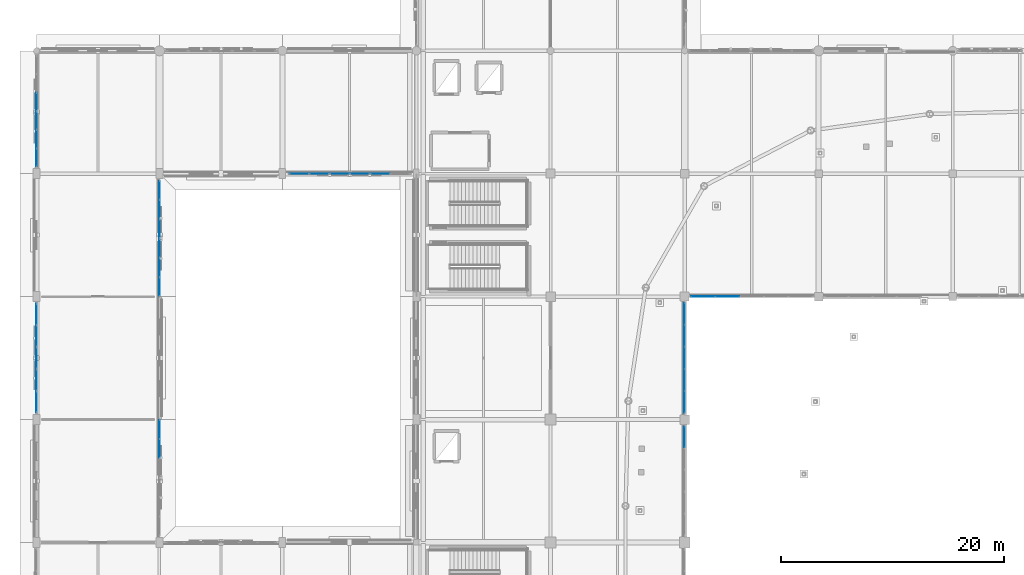
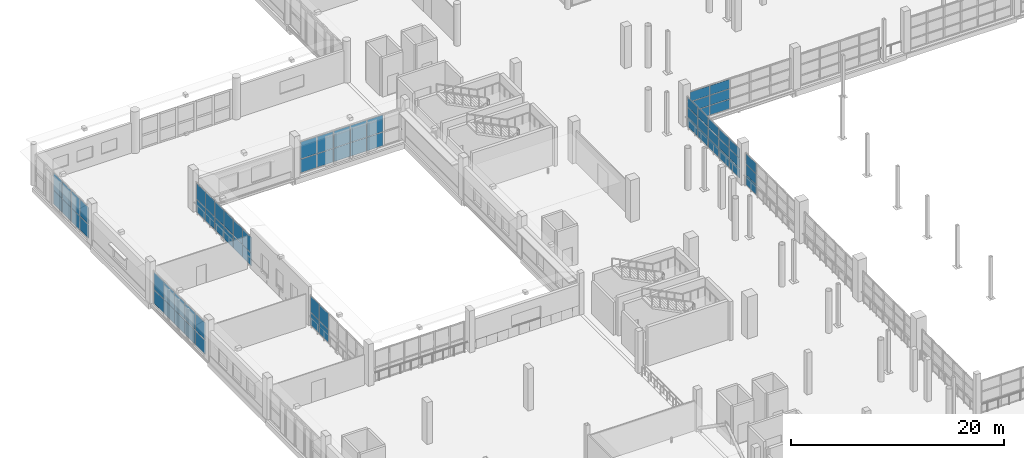
# One storey, part 77 of 143: 68 plates, 8 elements without a shape of their own.
"""IFC4 building model written with IfcOpenShell, lengths in metres."""

from ifc_helpers import new_model, si_unit, direction, frame, origin, origin_2d, place, context, subcontext, project, spatial, rectangle, extrude, material, layer, layer_set, type_object, element, aggregate, save


model = new_model("IFC4")

# Units and contexts
model_context = context("Model", 3, precision=1e-05, world=origin(), true_north=direction((0.0, 1.0)))
body_context = subcontext(model_context, "Body", "Model", "MODEL_VIEW")
ifc_project = project(units=[si_unit("LENGTHUNIT", "METRE"), si_unit("AREAUNIT", "SQUARE_METRE"), si_unit("VOLUMEUNIT", "CUBIC_METRE"), si_unit("PLANEANGLEUNIT", "RADIAN"), si_unit("MASSUNIT", "GRAM", prefix="KILO")], contexts=[model_context])

# Site, building, storey
site_placement = place(None, origin())
site = spatial("IfcSite", under=ifc_project, at=site_placement, CompositionType="ELEMENT")
building_placement = place(site_placement, origin())
building = spatial("IfcBuilding", under=site, at=building_placement, Name="Luwafu Chhajja Arena", CompositionType="ELEMENT")
storey_placement = place(building_placement, frame((0.0, 0.0, 5.39990234375)))
storey = spatial("IfcBuildingStorey", under=building, at=storey_placement, Name="L01", CompositionType="ELEMENT", Elevation=5.39990234375)

# Curtain wall, plates
ifc_material_1 = material(Name="Anodised bronze aluminium", Category="aluminium")
curtain_wall_type_1 = type_object("IfcCurtainWallType", Name="VIP Club Terrace Curtain Wall", PredefinedType="USERDEFINED", material=ifc_material_1)
curtain_wall_1_placement = place(storey_placement, origin())
curtain_wall_1 = element("IfcCurtainWall", 1, at=curtain_wall_1_placement, inside=storey, type_object=curtain_wall_type_1, Name="L01 Curtain Wall CWG-L01-V01_07", ObjectType="CURTAIN WALL", PredefinedType="USERDEFINED")
ifc_material_2 = material(Name="Solar-control laminated glass", Category="glass")
ifc_layer_1 = layer(ifc_material_2, 0.035888671875, Name="Solar-control laminated glass")
ifc_layer_set_1 = layer_set([ifc_layer_1], Name="Solar-control laminated glass")
plate_type_1 = type_object("IfcPlateType", Name="Acoustic Broadcast Double Glazed CW Panel 36", PredefinedType="CURTAIN_PANEL", material=ifc_layer_set_1)
plate_1_placement = place(storey_placement, frame((11.0, 77.8837890625, 0.09521484375), z_axis=(0.0, 0.0, 1.0), x_axis=(0.0, 1.0, 0.0)))
plate_1 = element("IfcPlate", 2, at=plate_1_placement, type_object=plate_type_1, Name="CW-10 panel 1.1", PredefinedType="CURTAIN_PANEL", context=body_context, shape_type="SweptSolid", body=[
    extrude(rectangle(XDim=1.637451171875, YDim=0.035888671875, at=origin_2d()), origin(), (0.0, 0.0, 1.0), 1.42041015625),
])
plate_2_placement = place(storey_placement, frame((11.0, 77.8837890625, 1.58056640625), z_axis=(0.0, 0.0, 1.0), x_axis=(0.0, 1.0, 0.0)))
plate_2 = element("IfcPlate", 3, at=plate_2_placement, type_object=plate_type_1, Name="CW-10 panel 1.2", PredefinedType="CURTAIN_PANEL", context=body_context, shape_type="SweptSolid", body=[
    extrude(rectangle(XDim=1.637451171875, YDim=0.035888671875, at=origin_2d()), origin(), (0.0, 0.0, 1.0), 1.79443359375),
])
plate_3_placement = place(storey_placement, frame((11.0, 79.6025390625, 0.09521484375), z_axis=(0.0, 0.0, 1.0), x_axis=(0.0, 1.0, 0.0)))
plate_3 = element("IfcPlate", 4, at=plate_3_placement, type_object=plate_type_1, Name="CW-10 panel 2.1", PredefinedType="CURTAIN_PANEL", context=body_context, shape_type="SweptSolid", body=[
    extrude(rectangle(XDim=1.669921875, YDim=0.035888671875, at=origin_2d()), origin(), (0.0, 0.0, 1.0), 1.42041015625),
])
plate_4_placement = place(storey_placement, frame((11.0, 79.6025390625, 1.58056640625), z_axis=(0.0, 0.0, 1.0), x_axis=(0.0, 1.0, 0.0)))
plate_4 = element("IfcPlate", 5, at=plate_4_placement, type_object=plate_type_1, Name="CW-10 panel 2.2", PredefinedType="CURTAIN_PANEL", context=body_context, shape_type="SweptSolid", body=[
    extrude(rectangle(XDim=1.669921875, YDim=0.035888671875, at=origin_2d()), origin(), (0.0, 0.0, 1.0), 1.79443359375),
])
plate_5_placement = place(storey_placement, frame((11.0, 81.33740234375, 0.09521484375), z_axis=(0.0, 0.0, 1.0), x_axis=(0.0, 1.0, 0.0)))
plate_5 = element("IfcPlate", 6, at=plate_5_placement, type_object=plate_type_1, Name="CW-10 panel 3.1", PredefinedType="CURTAIN_PANEL", context=body_context, shape_type="SweptSolid", body=[
    extrude(rectangle(XDim=1.669921875, YDim=0.035888671875, at=origin_2d()), origin(), (0.0, 0.0, 1.0), 1.42041015625),
])
plate_6_placement = place(storey_placement, frame((11.0, 81.33740234375, 1.58056640625), z_axis=(0.0, 0.0, 1.0), x_axis=(0.0, 1.0, 0.0)))
plate_6 = element("IfcPlate", 7, at=plate_6_placement, type_object=plate_type_1, Name="CW-10 panel 3.2", PredefinedType="CURTAIN_PANEL", context=body_context, shape_type="SweptSolid", body=[
    extrude(rectangle(XDim=1.669921875, YDim=0.035888671875, at=origin_2d()), origin(), (0.0, 0.0, 1.0), 1.79443359375),
])
plate_7_placement = place(storey_placement, frame((11.0, 83.072509765625, 0.09521484375), z_axis=(0.0, 0.0, 1.0), x_axis=(0.0, 1.0, 0.0)))
plate_7 = element("IfcPlate", 8, at=plate_7_placement, type_object=plate_type_1, Name="CW-10 panel 4.1", PredefinedType="CURTAIN_PANEL", context=body_context, shape_type="SweptSolid", body=[
    extrude(rectangle(XDim=1.669921875, YDim=0.035888671875, at=origin_2d()), origin(), (0.0, 0.0, 1.0), 1.42041015625),
])
plate_8_placement = place(storey_placement, frame((11.0, 83.072509765625, 1.58056640625), z_axis=(0.0, 0.0, 1.0), x_axis=(0.0, 1.0, 0.0)))
plate_8 = element("IfcPlate", 9, at=plate_8_placement, type_object=plate_type_1, Name="CW-10 panel 4.2", PredefinedType="CURTAIN_PANEL", context=body_context, shape_type="SweptSolid", body=[
    extrude(rectangle(XDim=1.669921875, YDim=0.035888671875, at=origin_2d()), origin(), (0.0, 0.0, 1.0), 1.79443359375),
])
plate_9_placement = place(storey_placement, frame((11.0, 84.8076171875, 0.09521484375), z_axis=(0.0, 0.0, 1.0), x_axis=(0.0, 1.0, 0.0)))
plate_9 = element("IfcPlate", 10, at=plate_9_placement, type_object=plate_type_1, Name="CW-10 panel 5.1", PredefinedType="CURTAIN_PANEL", context=body_context, shape_type="SweptSolid", body=[
    extrude(rectangle(XDim=1.669921875, YDim=0.035888671875, at=origin_2d()), origin(), (0.0, 0.0, 1.0), 1.42041015625),
])
plate_10_placement = place(storey_placement, frame((11.0, 84.8076171875, 1.58056640625), z_axis=(0.0, 0.0, 1.0), x_axis=(0.0, 1.0, 0.0)))
plate_10 = element("IfcPlate", 11, at=plate_10_placement, type_object=plate_type_1, Name="CW-10 panel 5.2", PredefinedType="CURTAIN_PANEL", context=body_context, shape_type="SweptSolid", body=[
    extrude(rectangle(XDim=1.669921875, YDim=0.035888671875, at=origin_2d()), origin(), (0.0, 0.0, 1.0), 1.79443359375),
])
plate_11_placement = place(storey_placement, frame((11.0, 86.5263671875, 0.09521484375), z_axis=(0.0, 0.0, 1.0), x_axis=(0.0, 1.0, 0.0)))
plate_11 = element("IfcPlate", 12, at=plate_11_placement, type_object=plate_type_1, Name="CW-10 panel 6.1", PredefinedType="CURTAIN_PANEL", context=body_context, shape_type="SweptSolid", body=[
    extrude(rectangle(XDim=1.637451171875, YDim=0.035888671875, at=origin_2d()), origin(), (0.0, 0.0, 1.0), 1.42041015625),
])
plate_12_placement = place(storey_placement, frame((11.0, 86.5263671875, 1.58056640625), z_axis=(0.0, 0.0, 1.0), x_axis=(0.0, 1.0, 0.0)))
plate_12 = element("IfcPlate", 13, at=plate_12_placement, type_object=plate_type_1, Name="CW-10 panel 6.2", PredefinedType="CURTAIN_PANEL", context=body_context, shape_type="SweptSolid", body=[
    extrude(rectangle(XDim=1.637451171875, YDim=0.035888671875, at=origin_2d()), origin(), (0.0, 0.0, 1.0), 1.79443359375),
])
aggregate(curtain_wall_1, [plate_1, plate_2, plate_3, plate_4, plate_5, plate_6, plate_7, plate_8, plate_9, plate_10, plate_11, plate_12])

curtain_wall_type_2 = type_object("IfcCurtainWallType", Name="Charbagh Cloister Curtain Wall", PredefinedType="USERDEFINED", material=ifc_material_1)
curtain_wall_2_placement = place(storey_placement, origin())
curtain_wall_2 = element("IfcCurtainWall", 14, at=curtain_wall_2_placement, inside=storey, type_object=curtain_wall_type_2, Name="L01 Curtain Wall CWG-L01-V01_05", ObjectType="CURTAIN WALL", PredefinedType="USERDEFINED")
ifc_layer_2 = layer(ifc_material_2, 0.028076171875, Name="Solar-control laminated glass")
ifc_layer_set_2 = layer_set([ifc_layer_2], Name="Solar-control laminated glass")
plate_type_2 = type_object("IfcPlateType", Name="Solar Control Double Glazed CW Panel 28", PredefinedType="CURTAIN_PANEL", material=ifc_layer_set_2)
plate_13_placement = place(storey_placement, frame((11.0, 63.3974609375, 0.09033203125), z_axis=(0.0, 0.0, 1.0), x_axis=(0.0, 1.0, 0.0)))
plate_13 = element("IfcPlate", 15, at=plate_13_placement, type_object=plate_type_2, Name="CW-06 panel 5.1", PredefinedType="CURTAIN_PANEL", context=body_context, shape_type="SweptSolid", body=[
    extrude(rectangle(XDim=1.675048828125, YDim=0.028076171875, at=origin_2d()), origin(), (0.0, 0.0, 1.0), 1.450439453125),
])
plate_14_placement = place(storey_placement, frame((11.0, 63.3974609375, 1.6005859375), z_axis=(0.0, 0.0, 1.0), x_axis=(0.0, 1.0, 0.0)))
plate_14 = element("IfcPlate", 16, at=plate_14_placement, type_object=plate_type_2, Name="CW-06 panel 5.2", PredefinedType="CURTAIN_PANEL", context=body_context, shape_type="SweptSolid", body=[
    extrude(rectangle(XDim=1.675048828125, YDim=0.028076171875, at=origin_2d()), origin(), (0.0, 0.0, 1.0), 1.82958984375),
])
plate_15_placement = place(storey_placement, frame((11.0, 65.117431640625, 0.09033203125), z_axis=(0.0, 0.0, 1.0), x_axis=(0.0, 1.0, 0.0)))
plate_15 = element("IfcPlate", 17, at=plate_15_placement, type_object=plate_type_2, Name="CW-06 panel 6.1", PredefinedType="CURTAIN_PANEL", context=body_context, shape_type="SweptSolid", body=[
    extrude(rectangle(XDim=1.64501953125, YDim=0.028076171875, at=origin_2d()), origin(), (0.0, 0.0, 1.0), 1.450439453125),
])
plate_16_placement = place(storey_placement, frame((11.0, 65.117431640625, 1.6005859375), z_axis=(0.0, 0.0, 1.0), x_axis=(0.0, 1.0, 0.0)))
plate_16 = element("IfcPlate", 18, at=plate_16_placement, type_object=plate_type_2, Name="CW-06 panel 6.2", PredefinedType="CURTAIN_PANEL", context=body_context, shape_type="SweptSolid", body=[
    extrude(rectangle(XDim=1.64501953125, YDim=0.028076171875, at=origin_2d()), origin(), (0.0, 0.0, 1.0), 1.82958984375),
])
aggregate(curtain_wall_2, [plate_13, plate_14, plate_15, plate_16])

curtain_wall_type_3 = type_object("IfcCurtainWallType", Name="Foyer Luwafu Street Curtain Wall", PredefinedType="USERDEFINED", material=ifc_material_1)
curtain_wall_3_placement = place(storey_placement, origin())
curtain_wall_3 = element("IfcCurtainWall", 19, at=curtain_wall_3_placement, inside=storey, type_object=curtain_wall_type_3, Name="L01 Curtain Wall CWG-L01-V00_06", ObjectType="CURTAIN WALL", PredefinedType="USERDEFINED")
plate_17_placement = place(storey_placement, frame((0.0, 67.588134765625, 0.09521484375), z_axis=(0.0, 0.0, 1.0), x_axis=(0.0, 1.0, 0.0)))
plate_17 = element("IfcPlate", 20, at=plate_17_placement, type_object=plate_type_2, Name="CW-05 panel 1.1", PredefinedType="CURTAIN_PANEL", context=body_context, shape_type="SweptSolid", body=[
    extrude(rectangle(XDim=1.866455078125, YDim=0.028076171875, at=origin_2d()), origin(), (0.0, 0.0, 1.0), 1.577880859375),
])
plate_18_placement = place(storey_placement, frame((0.0, 67.588134765625, 1.73828125), z_axis=(0.0, 0.0, 1.0), x_axis=(0.0, 1.0, 0.0)))
plate_18 = element("IfcPlate", 21, at=plate_18_placement, type_object=plate_type_2, Name="CW-05 panel 1.2", PredefinedType="CURTAIN_PANEL", context=body_context, shape_type="SweptSolid", body=[
    extrude(rectangle(XDim=1.866455078125, YDim=0.028076171875, at=origin_2d()), origin(), (0.0, 0.0, 1.0), 1.987060546875),
])
plate_19_placement = place(storey_placement, frame((0.0, 69.535888671875, 0.09521484375), z_axis=(0.0, 0.0, 1.0), x_axis=(0.0, 1.0, 0.0)))
plate_19 = element("IfcPlate", 22, at=plate_19_placement, type_object=plate_type_2, Name="CW-05 panel 2.1", PredefinedType="CURTAIN_PANEL", context=body_context, shape_type="SweptSolid", body=[
    extrude(rectangle(XDim=1.89892578125, YDim=0.028076171875, at=origin_2d()), origin(), (0.0, 0.0, 1.0), 1.577880859375),
])
plate_20_placement = place(storey_placement, frame((0.0, 69.535888671875, 1.73828125), z_axis=(0.0, 0.0, 1.0), x_axis=(0.0, 1.0, 0.0)))
plate_20 = element("IfcPlate", 23, at=plate_20_placement, type_object=plate_type_2, Name="CW-05 panel 2.2", PredefinedType="CURTAIN_PANEL", context=body_context, shape_type="SweptSolid", body=[
    extrude(rectangle(XDim=1.89892578125, YDim=0.028076171875, at=origin_2d()), origin(), (0.0, 0.0, 1.0), 1.987060546875),
])
plate_21_placement = place(storey_placement, frame((0.0, 71.5, 0.09521484375), z_axis=(0.0, 0.0, 1.0), x_axis=(0.0, 1.0, 0.0)))
plate_21 = element("IfcPlate", 24, at=plate_21_placement, type_object=plate_type_2, Name="CW-05 panel 3.1", PredefinedType="CURTAIN_PANEL", context=body_context, shape_type="SweptSolid", body=[
    extrude(rectangle(XDim=1.89892578125, YDim=0.028076171875, at=origin_2d()), origin(), (0.0, 0.0, 1.0), 1.577880859375),
])
plate_22_placement = place(storey_placement, frame((0.0, 71.5, 1.73828125), z_axis=(0.0, 0.0, 1.0), x_axis=(0.0, 1.0, 0.0)))
plate_22 = element("IfcPlate", 25, at=plate_22_placement, type_object=plate_type_2, Name="CW-05 panel 3.2", PredefinedType="CURTAIN_PANEL", context=body_context, shape_type="SweptSolid", body=[
    extrude(rectangle(XDim=1.89892578125, YDim=0.028076171875, at=origin_2d()), origin(), (0.0, 0.0, 1.0), 1.987060546875),
])
plate_23_placement = place(storey_placement, frame((0.0, 73.464111328125, 0.09521484375), z_axis=(0.0, 0.0, 1.0), x_axis=(0.0, 1.0, 0.0)))
plate_23 = element("IfcPlate", 26, at=plate_23_placement, type_object=plate_type_2, Name="CW-05 panel 4.1", PredefinedType="CURTAIN_PANEL", context=body_context, shape_type="SweptSolid", body=[
    extrude(rectangle(XDim=1.89892578125, YDim=0.028076171875, at=origin_2d()), origin(), (0.0, 0.0, 1.0), 1.577880859375),
])
plate_24_placement = place(storey_placement, frame((0.0, 73.464111328125, 1.73828125), z_axis=(0.0, 0.0, 1.0), x_axis=(0.0, 1.0, 0.0)))
plate_24 = element("IfcPlate", 27, at=plate_24_placement, type_object=plate_type_2, Name="CW-05 panel 4.2", PredefinedType="CURTAIN_PANEL", context=body_context, shape_type="SweptSolid", body=[
    extrude(rectangle(XDim=1.89892578125, YDim=0.028076171875, at=origin_2d()), origin(), (0.0, 0.0, 1.0), 1.987060546875),
])
plate_25_placement = place(storey_placement, frame((0.0, 75.411865234375, 0.09521484375), z_axis=(0.0, 0.0, 1.0), x_axis=(0.0, 1.0, 0.0)))
plate_25 = element("IfcPlate", 28, at=plate_25_placement, type_object=plate_type_2, Name="CW-05 panel 5.1", PredefinedType="CURTAIN_PANEL", context=body_context, shape_type="SweptSolid", body=[
    extrude(rectangle(XDim=1.866455078125, YDim=0.028076171875, at=origin_2d()), origin(), (0.0, 0.0, 1.0), 1.577880859375),
])
plate_26_placement = place(storey_placement, frame((0.0, 75.411865234375, 1.73828125), z_axis=(0.0, 0.0, 1.0), x_axis=(0.0, 1.0, 0.0)))
plate_26 = element("IfcPlate", 29, at=plate_26_placement, type_object=plate_type_2, Name="CW-05 panel 5.2", PredefinedType="CURTAIN_PANEL", context=body_context, shape_type="SweptSolid", body=[
    extrude(rectangle(XDim=1.866455078125, YDim=0.028076171875, at=origin_2d()), origin(), (0.0, 0.0, 1.0), 1.987060546875),
])
aggregate(curtain_wall_3, [plate_17, plate_18, plate_19, plate_20, plate_21, plate_22, plate_23, plate_24, plate_25, plate_26])

curtain_wall_type_4 = type_object("IfcCurtainWallType", Name="Community Hall Street Curtain Wall", PredefinedType="USERDEFINED", material=ifc_material_1)
curtain_wall_4_placement = place(storey_placement, origin())
curtain_wall_4 = element("IfcCurtainWall", 30, at=curtain_wall_4_placement, inside=storey, type_object=curtain_wall_type_4, Name="L01 Curtain Wall CWG-L01-V00_08", ObjectType="CURTAIN WALL", PredefinedType="USERDEFINED")
plate_27_placement = place(storey_placement, frame((0.0, 89.43798828125, 0.090087890625), z_axis=(0.0, 0.0, 1.0), x_axis=(0.0, 1.0, 0.0)))
plate_27 = element("IfcPlate", 31, at=plate_27_placement, type_object=plate_type_2, Name="CW-09 panel 1.1", PredefinedType="CURTAIN_PANEL", context=body_context, shape_type="SweptSolid", body=[
    extrude(rectangle(XDim=1.575927734375, YDim=0.028076171875, at=origin_2d()), origin(), (0.0, 0.0, 1.0), 1.5478515625),
])
plate_28_placement = place(storey_placement, frame((0.0, 89.43798828125, 1.6982421875), z_axis=(0.0, 0.0, 1.0), x_axis=(0.0, 1.0, 0.0)))
plate_28 = element("IfcPlate", 32, at=plate_28_placement, type_object=plate_type_2, Name="CW-09 panel 1.2", PredefinedType="CURTAIN_PANEL", context=body_context, shape_type="SweptSolid", body=[
    extrude(rectangle(XDim=1.575927734375, YDim=0.028076171875, at=origin_2d()), origin(), (0.0, 0.0, 1.0), 1.948486328125),
])
plate_29_placement = place(storey_placement, frame((0.0, 91.0888671875, 0.090087890625), z_axis=(0.0, 0.0, 1.0), x_axis=(0.0, 1.0, 0.0)))
plate_29 = element("IfcPlate", 33, at=plate_29_placement, type_object=plate_type_2, Name="CW-09 panel 2.1", PredefinedType="CURTAIN_PANEL", context=body_context, shape_type="SweptSolid", body=[
    extrude(rectangle(XDim=1.605712890625, YDim=0.028076171875, at=origin_2d()), origin(), (0.0, 0.0, 1.0), 1.5478515625),
])
plate_30_placement = place(storey_placement, frame((0.0, 91.0888671875, 1.6982421875), z_axis=(0.0, 0.0, 1.0), x_axis=(0.0, 1.0, 0.0)))
plate_30 = element("IfcPlate", 34, at=plate_30_placement, type_object=plate_type_2, Name="CW-09 panel 2.2", PredefinedType="CURTAIN_PANEL", context=body_context, shape_type="SweptSolid", body=[
    extrude(rectangle(XDim=1.605712890625, YDim=0.028076171875, at=origin_2d()), origin(), (0.0, 0.0, 1.0), 1.948486328125),
])
plate_31_placement = place(storey_placement, frame((0.0, 92.754638671875, 0.090087890625), z_axis=(0.0, 0.0, 1.0), x_axis=(0.0, 1.0, 0.0)))
plate_31 = element("IfcPlate", 35, at=plate_31_placement, type_object=plate_type_2, Name="CW-09 panel 3.1", PredefinedType="CURTAIN_PANEL", context=body_context, shape_type="SweptSolid", body=[
    extrude(rectangle(XDim=1.605712890625, YDim=0.028076171875, at=origin_2d()), origin(), (0.0, 0.0, 1.0), 1.5478515625),
])
plate_32_placement = place(storey_placement, frame((0.0, 92.754638671875, 1.6982421875), z_axis=(0.0, 0.0, 1.0), x_axis=(0.0, 1.0, 0.0)))
plate_32 = element("IfcPlate", 36, at=plate_32_placement, type_object=plate_type_2, Name="CW-09 panel 3.2", PredefinedType="CURTAIN_PANEL", context=body_context, shape_type="SweptSolid", body=[
    extrude(rectangle(XDim=1.605712890625, YDim=0.028076171875, at=origin_2d()), origin(), (0.0, 0.0, 1.0), 1.948486328125),
])
plate_33_placement = place(storey_placement, frame((0.0, 94.42041015625, 0.090087890625), z_axis=(0.0, 0.0, 1.0), x_axis=(0.0, 1.0, 0.0)))
plate_33 = element("IfcPlate", 37, at=plate_33_placement, type_object=plate_type_2, Name="CW-09 panel 4.1", PredefinedType="CURTAIN_PANEL", context=body_context, shape_type="SweptSolid", body=[
    extrude(rectangle(XDim=1.605712890625, YDim=0.028076171875, at=origin_2d()), origin(), (0.0, 0.0, 1.0), 1.5478515625),
])
plate_34_placement = place(storey_placement, frame((0.0, 94.42041015625, 1.6982421875), z_axis=(0.0, 0.0, 1.0), x_axis=(0.0, 1.0, 0.0)))
plate_34 = element("IfcPlate", 38, at=plate_34_placement, type_object=plate_type_2, Name="CW-09 panel 4.2", PredefinedType="CURTAIN_PANEL", context=body_context, shape_type="SweptSolid", body=[
    extrude(rectangle(XDim=1.605712890625, YDim=0.028076171875, at=origin_2d()), origin(), (0.0, 0.0, 1.0), 1.948486328125),
])
aggregate(curtain_wall_4, [plate_27, plate_28, plate_29, plate_30, plate_31, plate_32, plate_33, plate_34])

curtain_wall_5_placement = place(storey_placement, origin())
curtain_wall_5 = element("IfcCurtainWall", 39, at=curtain_wall_5_placement, inside=storey, type_object=curtain_wall_type_3, Name="L01 Curtain Wall CWG-L01-H02_08", ObjectType="CURTAIN WALL", PredefinedType="USERDEFINED")
plate_35_placement = place(storey_placement, frame((23.511962890625, 88.0, 0.09521484375), z_axis=(0.0, 0.0, 1.0), x_axis=(1.0, 0.0, 0.0)))
plate_35 = element("IfcPlate", 40, at=plate_35_placement, type_object=plate_type_2, Name="CW-05 panel 1.1", PredefinedType="CURTAIN_PANEL", context=body_context, shape_type="SweptSolid", body=[
    extrude(rectangle(XDim=1.714111328125, YDim=0.028076171875, at=origin_2d()), origin(), (0.0, 0.0, 1.0), 1.532958984375),
])
plate_36_placement = place(storey_placement, frame((23.511962890625, 88.0, 1.693359375), z_axis=(0.0, 0.0, 1.0), x_axis=(1.0, 0.0, 0.0)))
plate_36 = element("IfcPlate", 41, at=plate_36_placement, type_object=plate_type_2, Name="CW-05 panel 1.2", PredefinedType="CURTAIN_PANEL", context=body_context, shape_type="SweptSolid", body=[
    extrude(rectangle(XDim=1.714111328125, YDim=0.028076171875, at=origin_2d()), origin(), (0.0, 0.0, 1.0), 1.931884765625),
])
plate_37_placement = place(storey_placement, frame((25.3076171875, 88.0, 0.09521484375), z_axis=(0.0, 0.0, 1.0), x_axis=(1.0, 0.0, 0.0)))
plate_37 = element("IfcPlate", 42, at=plate_37_placement, type_object=plate_type_2, Name="CW-05 panel 2.1", PredefinedType="CURTAIN_PANEL", context=body_context, shape_type="SweptSolid", body=[
    extrude(rectangle(XDim=1.74658203125, YDim=0.028076171875, at=origin_2d()), origin(), (0.0, 0.0, 1.0), 1.532958984375),
])
plate_38_placement = place(storey_placement, frame((25.3076171875, 88.0, 1.693359375), z_axis=(0.0, 0.0, 1.0), x_axis=(1.0, 0.0, 0.0)))
plate_38 = element("IfcPlate", 43, at=plate_38_placement, type_object=plate_type_2, Name="CW-05 panel 2.2", PredefinedType="CURTAIN_PANEL", context=body_context, shape_type="SweptSolid", body=[
    extrude(rectangle(XDim=1.74658203125, YDim=0.028076171875, at=origin_2d()), origin(), (0.0, 0.0, 1.0), 1.931884765625),
])
plate_39_placement = place(storey_placement, frame((27.119140625, 88.0, 0.09521484375), z_axis=(0.0, 0.0, 1.0), x_axis=(1.0, 0.0, 0.0)))
plate_39 = element("IfcPlate", 44, at=plate_39_placement, type_object=plate_type_2, Name="CW-05 panel 3.1", PredefinedType="CURTAIN_PANEL", context=body_context, shape_type="SweptSolid", body=[
    extrude(rectangle(XDim=1.74658203125, YDim=0.028076171875, at=origin_2d()), origin(), (0.0, 0.0, 1.0), 1.532958984375),
])
plate_40_placement = place(storey_placement, frame((27.119140625, 88.0, 1.693359375), z_axis=(0.0, 0.0, 1.0), x_axis=(1.0, 0.0, 0.0)))
plate_40 = element("IfcPlate", 45, at=plate_40_placement, type_object=plate_type_2, Name="CW-05 panel 3.2", PredefinedType="CURTAIN_PANEL", context=body_context, shape_type="SweptSolid", body=[
    extrude(rectangle(XDim=1.74658203125, YDim=0.028076171875, at=origin_2d()), origin(), (0.0, 0.0, 1.0), 1.931884765625),
])
plate_41_placement = place(storey_placement, frame((28.930908203125, 88.0, 0.09521484375), z_axis=(0.0, 0.0, 1.0), x_axis=(1.0, 0.0, 0.0)))
plate_41 = element("IfcPlate", 46, at=plate_41_placement, type_object=plate_type_2, Name="CW-05 panel 4.1", PredefinedType="CURTAIN_PANEL", context=body_context, shape_type="SweptSolid", body=[
    extrude(rectangle(XDim=1.74658203125, YDim=0.028076171875, at=origin_2d()), origin(), (0.0, 0.0, 1.0), 1.532958984375),
])
plate_42_placement = place(storey_placement, frame((28.930908203125, 88.0, 1.693359375), z_axis=(0.0, 0.0, 1.0), x_axis=(1.0, 0.0, 0.0)))
plate_42 = element("IfcPlate", 47, at=plate_42_placement, type_object=plate_type_2, Name="CW-05 panel 4.2", PredefinedType="CURTAIN_PANEL", context=body_context, shape_type="SweptSolid", body=[
    extrude(rectangle(XDim=1.74658203125, YDim=0.028076171875, at=origin_2d()), origin(), (0.0, 0.0, 1.0), 1.931884765625),
])
plate_43_placement = place(storey_placement, frame((30.742431640625, 88.0, 0.09521484375), z_axis=(0.0, 0.0, 1.0), x_axis=(1.0, 0.0, 0.0)))
plate_43 = element("IfcPlate", 48, at=plate_43_placement, type_object=plate_type_2, Name="CW-05 panel 5.1", PredefinedType="CURTAIN_PANEL", context=body_context, shape_type="SweptSolid", body=[
    extrude(rectangle(XDim=1.74658203125, YDim=0.028076171875, at=origin_2d()), origin(), (0.0, 0.0, 1.0), 1.532958984375),
])
plate_44_placement = place(storey_placement, frame((30.742431640625, 88.0, 1.693359375), z_axis=(0.0, 0.0, 1.0), x_axis=(1.0, 0.0, 0.0)))
plate_44 = element("IfcPlate", 49, at=plate_44_placement, type_object=plate_type_2, Name="CW-05 panel 5.2", PredefinedType="CURTAIN_PANEL", context=body_context, shape_type="SweptSolid", body=[
    extrude(rectangle(XDim=1.74658203125, YDim=0.028076171875, at=origin_2d()), origin(), (0.0, 0.0, 1.0), 1.931884765625),
])
aggregate(curtain_wall_5, [plate_35, plate_36, plate_37, plate_38, plate_39, plate_40, plate_41, plate_42, plate_43, plate_44])

curtain_wall_type_5 = type_object("IfcCurtainWallType", Name="Bowl Concourse Chord Curtain Wall", PredefinedType="USERDEFINED", material=ifc_material_1)
curtain_wall_6_placement = place(storey_placement, origin())
curtain_wall_6 = element("IfcCurtainWall", 50, at=curtain_wall_6_placement, inside=storey, type_object=curtain_wall_type_5, Name="L01 Bowl Viewing Curtain Wall CWR-L01-08", ObjectType="CURTAIN WALL", PredefinedType="USERDEFINED")
plate_45_placement = place(storey_placement, frame((59.6494140625, 77.0, 0.06005859375), z_axis=(0.0, 0.0, 1.0), x_axis=(1.0, 0.0, 0.0)))
plate_45 = element("IfcPlate", 51, at=plate_45_placement, type_object=plate_type_2, Name="CW-01 panel 1.1", PredefinedType="CURTAIN_PANEL", context=body_context, shape_type="SweptSolid", body=[
    extrude(rectangle(XDim=2.09912109375, YDim=0.028076171875, at=origin_2d()), origin(), (0.0, 0.0, 1.0), 1.06005859375),
])
plate_46_placement = place(storey_placement, frame((59.6494140625, 77.0, 1.18017578125), z_axis=(0.0, 0.0, 1.0), x_axis=(1.0, 0.0, 0.0)))
plate_46 = element("IfcPlate", 52, at=plate_46_placement, type_object=plate_type_2, Name="CW-01 panel 1.2", PredefinedType="CURTAIN_PANEL", context=body_context, shape_type="SweptSolid", body=[
    extrude(rectangle(XDim=2.09912109375, YDim=0.028076171875, at=origin_2d()), origin(), (0.0, 0.0, 1.0), 1.110107421875),
])
plate_47_placement = place(storey_placement, frame((59.6494140625, 77.0, 2.35009765625), z_axis=(0.0, 0.0, 1.0), x_axis=(1.0, 0.0, 0.0)))
plate_47 = element("IfcPlate", 53, at=plate_47_placement, type_object=plate_type_2, Name="CW-01 panel 1.3", PredefinedType="CURTAIN_PANEL", context=body_context, shape_type="SweptSolid", body=[
    extrude(rectangle(XDim=2.09912109375, YDim=0.028076171875, at=origin_2d()), origin(), (0.0, 0.0, 1.0), 1.080078125),
])
plate_48_placement = place(storey_placement, frame((61.823486328125, 77.0, 0.06005859375), z_axis=(0.0, 0.0, 1.0), x_axis=(1.0, 0.0, 0.0)))
plate_48 = element("IfcPlate", 54, at=plate_48_placement, type_object=plate_type_2, Name="CW-01 panel 2.1", PredefinedType="CURTAIN_PANEL", context=body_context, shape_type="SweptSolid", body=[
    extrude(rectangle(XDim=2.12890625, YDim=0.028076171875, at=origin_2d()), origin(), (0.0, 0.0, 1.0), 1.06005859375),
])
plate_49_placement = place(storey_placement, frame((61.823486328125, 77.0, 1.18017578125), z_axis=(0.0, 0.0, 1.0), x_axis=(1.0, 0.0, 0.0)))
plate_49 = element("IfcPlate", 55, at=plate_49_placement, type_object=plate_type_2, Name="CW-01 panel 2.2", PredefinedType="CURTAIN_PANEL", context=body_context, shape_type="SweptSolid", body=[
    extrude(rectangle(XDim=2.12890625, YDim=0.028076171875, at=origin_2d()), origin(), (0.0, 0.0, 1.0), 1.110107421875),
])
plate_50_placement = place(storey_placement, frame((61.823486328125, 77.0, 2.35009765625), z_axis=(0.0, 0.0, 1.0), x_axis=(1.0, 0.0, 0.0)))
plate_50 = element("IfcPlate", 56, at=plate_50_placement, type_object=plate_type_2, Name="CW-01 panel 2.3", PredefinedType="CURTAIN_PANEL", context=body_context, shape_type="SweptSolid", body=[
    extrude(rectangle(XDim=2.12890625, YDim=0.028076171875, at=origin_2d()), origin(), (0.0, 0.0, 1.0), 1.080078125),
])
aggregate(curtain_wall_6, [plate_45, plate_46, plate_47, plate_48, plate_49, plate_50])

curtain_wall_7_placement = place(storey_placement, origin())
curtain_wall_7 = element("IfcCurtainWall", 57, at=curtain_wall_7_placement, inside=storey, type_object=curtain_wall_type_5, Name="L01 Bowl Viewing Curtain Wall CWR-L01-18", ObjectType="CURTAIN WALL", PredefinedType="USERDEFINED")
plate_51_placement = place(storey_placement, frame((58.0, 64.43798828125, 0.06005859375), z_axis=(0.0, 0.0, 1.0), x_axis=(0.0, 1.0, 0.0)))
plate_51 = element("IfcPlate", 58, at=plate_51_placement, type_object=plate_type_2, Name="CW-01 panel 5.1", PredefinedType="CURTAIN_PANEL", context=body_context, shape_type="SweptSolid", body=[
    extrude(rectangle(XDim=1.8740234375, YDim=0.028076171875, at=origin_2d()), origin(), (0.0, 0.0, 1.0), 1.06005859375),
])
plate_52_placement = place(storey_placement, frame((58.0, 64.43798828125, 1.18017578125), z_axis=(0.0, 0.0, 1.0), x_axis=(0.0, 1.0, 0.0)))
plate_52 = element("IfcPlate", 59, at=plate_52_placement, type_object=plate_type_2, Name="CW-01 panel 5.2", PredefinedType="CURTAIN_PANEL", context=body_context, shape_type="SweptSolid", body=[
    extrude(rectangle(XDim=1.8740234375, YDim=0.028076171875, at=origin_2d()), origin(), (0.0, 0.0, 1.0), 1.2099609375),
])
plate_53_placement = place(storey_placement, frame((58.0, 64.43798828125, 2.4501953125), z_axis=(0.0, 0.0, 1.0), x_axis=(0.0, 1.0, 0.0)))
plate_53 = element("IfcPlate", 60, at=plate_53_placement, type_object=plate_type_2, Name="CW-01 panel 5.3", PredefinedType="CURTAIN_PANEL", context=body_context, shape_type="SweptSolid", body=[
    extrude(rectangle(XDim=1.8740234375, YDim=0.028076171875, at=origin_2d()), origin(), (0.0, 0.0, 1.0), 1.179931640625),
])
aggregate(curtain_wall_7, [plate_51, plate_52, plate_53])

curtain_wall_8_placement = place(storey_placement, origin())
curtain_wall_8 = element("IfcCurtainWall", 61, at=curtain_wall_8_placement, inside=storey, type_object=curtain_wall_type_5, Name="L01 Bowl Viewing Curtain Wall CWR-L01-19", ObjectType="CURTAIN WALL", PredefinedType="USERDEFINED")
plate_54_placement = place(storey_placement, frame((58.0, 67.569580078125, 0.06005859375), z_axis=(0.0, 0.0, 1.0), x_axis=(0.0, 1.0, 0.0)))
plate_54 = element("IfcPlate", 62, at=plate_54_placement, type_object=plate_type_2, Name="CW-01 panel 1.1", PredefinedType="CURTAIN_PANEL", context=body_context, shape_type="SweptSolid", body=[
    extrude(rectangle(XDim=1.888916015625, YDim=0.028076171875, at=origin_2d()), origin(), (0.0, 0.0, 1.0), 1.06005859375),
])
plate_55_placement = place(storey_placement, frame((58.0, 67.569580078125, 1.18017578125), z_axis=(0.0, 0.0, 1.0), x_axis=(0.0, 1.0, 0.0)))
plate_55 = element("IfcPlate", 63, at=plate_55_placement, type_object=plate_type_2, Name="CW-01 panel 1.2", PredefinedType="CURTAIN_PANEL", context=body_context, shape_type="SweptSolid", body=[
    extrude(rectangle(XDim=1.888916015625, YDim=0.028076171875, at=origin_2d()), origin(), (0.0, 0.0, 1.0), 1.110107421875),
])
plate_56_placement = place(storey_placement, frame((58.0, 67.569580078125, 2.35009765625), z_axis=(0.0, 0.0, 1.0), x_axis=(0.0, 1.0, 0.0)))
plate_56 = element("IfcPlate", 64, at=plate_56_placement, type_object=plate_type_2, Name="CW-01 panel 1.3", PredefinedType="CURTAIN_PANEL", context=body_context, shape_type="SweptSolid", body=[
    extrude(rectangle(XDim=1.888916015625, YDim=0.028076171875, at=origin_2d()), origin(), (0.0, 0.0, 1.0), 1.080078125),
])
plate_57_placement = place(storey_placement, frame((58.0, 69.533447265625, 0.06005859375), z_axis=(0.0, 0.0, 1.0), x_axis=(0.0, 1.0, 0.0)))
plate_57 = element("IfcPlate", 65, at=plate_57_placement, type_object=plate_type_2, Name="CW-01 panel 2.1", PredefinedType="CURTAIN_PANEL", context=body_context, shape_type="SweptSolid", body=[
    extrude(rectangle(XDim=1.9189453125, YDim=0.028076171875, at=origin_2d()), origin(), (0.0, 0.0, 1.0), 1.06005859375),
])
plate_58_placement = place(storey_placement, frame((58.0, 69.533447265625, 1.18017578125), z_axis=(0.0, 0.0, 1.0), x_axis=(0.0, 1.0, 0.0)))
plate_58 = element("IfcPlate", 66, at=plate_58_placement, type_object=plate_type_2, Name="CW-01 panel 2.2", PredefinedType="CURTAIN_PANEL", context=body_context, shape_type="SweptSolid", body=[
    extrude(rectangle(XDim=1.9189453125, YDim=0.028076171875, at=origin_2d()), origin(), (0.0, 0.0, 1.0), 1.110107421875),
])
plate_59_placement = place(storey_placement, frame((58.0, 69.533447265625, 2.35009765625), z_axis=(0.0, 0.0, 1.0), x_axis=(0.0, 1.0, 0.0)))
plate_59 = element("IfcPlate", 67, at=plate_59_placement, type_object=plate_type_2, Name="CW-01 panel 2.3", PredefinedType="CURTAIN_PANEL", context=body_context, shape_type="SweptSolid", body=[
    extrude(rectangle(XDim=1.9189453125, YDim=0.028076171875, at=origin_2d()), origin(), (0.0, 0.0, 1.0), 1.080078125),
])
plate_60_placement = place(storey_placement, frame((58.0, 71.512451171875, 0.06005859375), z_axis=(0.0, 0.0, 1.0), x_axis=(0.0, 1.0, 0.0)))
plate_60 = element("IfcPlate", 68, at=plate_60_placement, type_object=plate_type_2, Name="CW-01 panel 3.1", PredefinedType="CURTAIN_PANEL", context=body_context, shape_type="SweptSolid", body=[
    extrude(rectangle(XDim=1.9189453125, YDim=0.028076171875, at=origin_2d()), origin(), (0.0, 0.0, 1.0), 1.06005859375),
])
plate_61_placement = place(storey_placement, frame((58.0, 71.512451171875, 1.18017578125), z_axis=(0.0, 0.0, 1.0), x_axis=(0.0, 1.0, 0.0)))
plate_61 = element("IfcPlate", 69, at=plate_61_placement, type_object=plate_type_2, Name="CW-01 panel 3.2", PredefinedType="CURTAIN_PANEL", context=body_context, shape_type="SweptSolid", body=[
    extrude(rectangle(XDim=1.9189453125, YDim=0.028076171875, at=origin_2d()), origin(), (0.0, 0.0, 1.0), 1.110107421875),
])
plate_62_placement = place(storey_placement, frame((58.0, 71.512451171875, 2.35009765625), z_axis=(0.0, 0.0, 1.0), x_axis=(0.0, 1.0, 0.0)))
plate_62 = element("IfcPlate", 70, at=plate_62_placement, type_object=plate_type_2, Name="CW-01 panel 3.3", PredefinedType="CURTAIN_PANEL", context=body_context, shape_type="SweptSolid", body=[
    extrude(rectangle(XDim=1.9189453125, YDim=0.028076171875, at=origin_2d()), origin(), (0.0, 0.0, 1.0), 1.080078125),
])
plate_63_placement = place(storey_placement, frame((58.0, 73.491455078125, 0.06005859375), z_axis=(0.0, 0.0, 1.0), x_axis=(0.0, 1.0, 0.0)))
plate_63 = element("IfcPlate", 71, at=plate_63_placement, type_object=plate_type_2, Name="CW-01 panel 4.1", PredefinedType="CURTAIN_PANEL", context=body_context, shape_type="SweptSolid", body=[
    extrude(rectangle(XDim=1.9189453125, YDim=0.028076171875, at=origin_2d()), origin(), (0.0, 0.0, 1.0), 1.06005859375),
])
plate_64_placement = place(storey_placement, frame((58.0, 73.491455078125, 1.18017578125), z_axis=(0.0, 0.0, 1.0), x_axis=(0.0, 1.0, 0.0)))
plate_64 = element("IfcPlate", 72, at=plate_64_placement, type_object=plate_type_2, Name="CW-01 panel 4.2", PredefinedType="CURTAIN_PANEL", context=body_context, shape_type="SweptSolid", body=[
    extrude(rectangle(XDim=1.9189453125, YDim=0.028076171875, at=origin_2d()), origin(), (0.0, 0.0, 1.0), 1.110107421875),
])
plate_65_placement = place(storey_placement, frame((58.0, 73.491455078125, 2.35009765625), z_axis=(0.0, 0.0, 1.0), x_axis=(0.0, 1.0, 0.0)))
plate_65 = element("IfcPlate", 73, at=plate_65_placement, type_object=plate_type_2, Name="CW-01 panel 4.3", PredefinedType="CURTAIN_PANEL", context=body_context, shape_type="SweptSolid", body=[
    extrude(rectangle(XDim=1.9189453125, YDim=0.028076171875, at=origin_2d()), origin(), (0.0, 0.0, 1.0), 1.080078125),
])
plate_66_placement = place(storey_placement, frame((58.0, 75.45556640625, 0.06005859375), z_axis=(0.0, 0.0, 1.0), x_axis=(0.0, 1.0, 0.0)))
plate_66 = element("IfcPlate", 74, at=plate_66_placement, type_object=plate_type_2, Name="CW-01 panel 5.1", PredefinedType="CURTAIN_PANEL", context=body_context, shape_type="SweptSolid", body=[
    extrude(rectangle(XDim=1.888916015625, YDim=0.028076171875, at=origin_2d()), origin(), (0.0, 0.0, 1.0), 1.06005859375),
])
plate_67_placement = place(storey_placement, frame((58.0, 75.45556640625, 1.18017578125), z_axis=(0.0, 0.0, 1.0), x_axis=(0.0, 1.0, 0.0)))
plate_67 = element("IfcPlate", 75, at=plate_67_placement, type_object=plate_type_2, Name="CW-01 panel 5.2", PredefinedType="CURTAIN_PANEL", context=body_context, shape_type="SweptSolid", body=[
    extrude(rectangle(XDim=1.888916015625, YDim=0.028076171875, at=origin_2d()), origin(), (0.0, 0.0, 1.0), 1.110107421875),
])
plate_68_placement = place(storey_placement, frame((58.0, 75.45556640625, 2.35009765625), z_axis=(0.0, 0.0, 1.0), x_axis=(0.0, 1.0, 0.0)))
plate_68 = element("IfcPlate", 76, at=plate_68_placement, type_object=plate_type_2, Name="CW-01 panel 5.3", PredefinedType="CURTAIN_PANEL", context=body_context, shape_type="SweptSolid", body=[
    extrude(rectangle(XDim=1.888916015625, YDim=0.028076171875, at=origin_2d()), origin(), (0.0, 0.0, 1.0), 1.080078125),
])
aggregate(curtain_wall_8, [plate_54, plate_55, plate_56, plate_57, plate_58, plate_59, plate_60, plate_61, plate_62, plate_63, plate_64, plate_65, plate_66, plate_67, plate_68])

save(model, "model.ifc")
